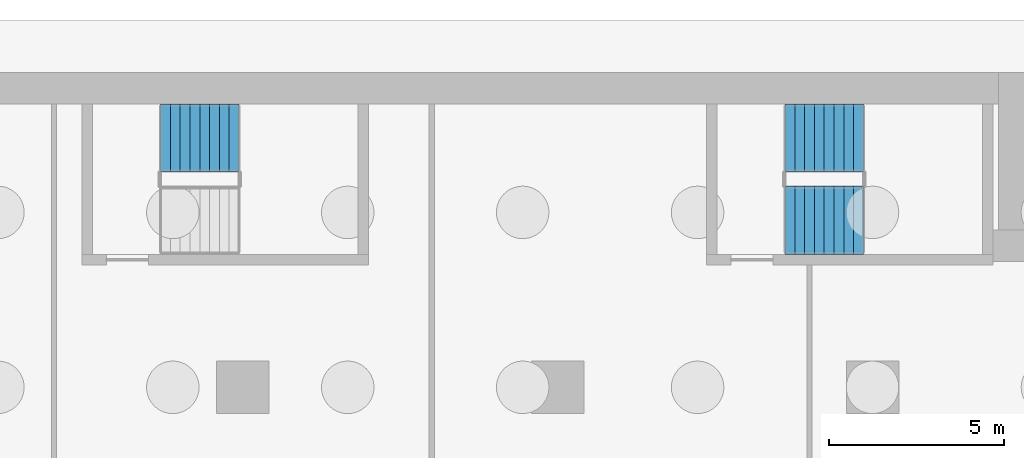
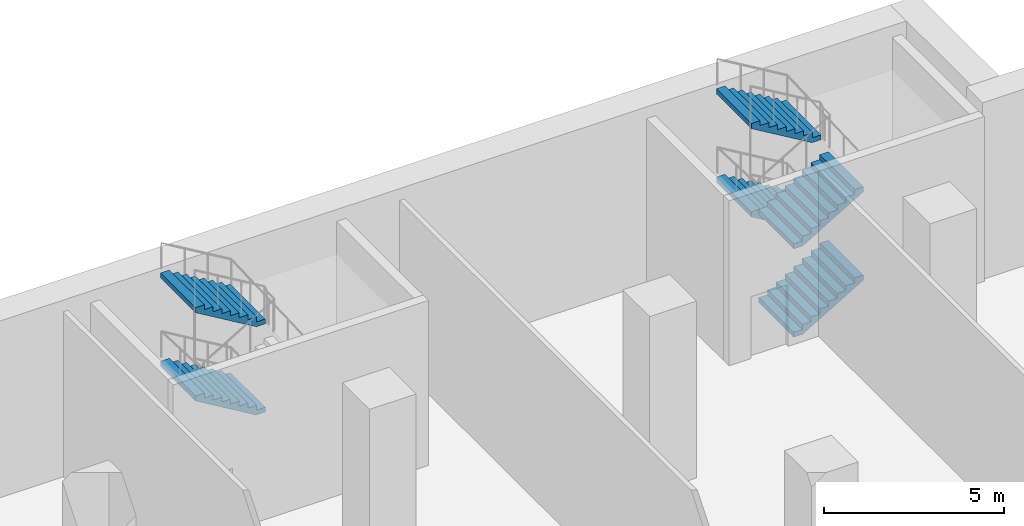
# One storey, part 16 of 25: 6 stair flights, 2 elements without a shape of their own.
"""IFC4 building model written with IfcOpenShell, lengths in metres."""

from ifc_helpers import new_model, si_unit, direction, frame, origin, place, context, subcontext, project, spatial, polyline, outline, extrude, material, type_object, element, aggregate, save


model = new_model("IFC4")

# Units and contexts
model_context = context("Model", 3, precision=1e-05, world=origin(), true_north=direction((0.0, 1.0)))
body_context = subcontext(model_context, "Body", "Model", "MODEL_VIEW")
ifc_project = project(units=[si_unit("LENGTHUNIT", "METRE"), si_unit("AREAUNIT", "SQUARE_METRE"), si_unit("VOLUMEUNIT", "CUBIC_METRE"), si_unit("PLANEANGLEUNIT", "RADIAN"), si_unit("MASSUNIT", "GRAM", prefix="KILO")], contexts=[model_context])

# Site, building, storey
site_placement = place(None, origin())
site = spatial("IfcSite", under=ifc_project, at=site_placement, CompositionType="ELEMENT")
building_placement = place(site_placement, origin())
building = spatial("IfcBuilding", under=site, at=building_placement, Name="Hunhe Ridgeline Campus", CompositionType="ELEMENT")
storey_placement = place(building_placement, frame((0.0, 0.0, -6.0)))
storey = spatial("IfcBuildingStorey", under=building, at=storey_placement, Name="B1", CompositionType="ELEMENT", Elevation=-6.0)

# Stair, stair flights
ifc_material = material(Name="Concrete C40", Category="concrete")
stair_type = type_object("IfcStairType", Name="Reinforced concrete dog-leg stair 1950 Concrete C40", PredefinedType="HALF_TURN_STAIR", material=ifc_material)
stair_1_placement = place(storey_placement, origin())
stair_1 = element("IfcStair", 1, at=stair_1_placement, inside=storey, type_object=stair_type, Name="B1 E3", PredefinedType="HALF_TURN_STAIR")
stair_flight_type = type_object("IfcStairFlightType", Name="Reinforced concrete stair flight 1950 Concrete C40", PredefinedType="STRAIGHT", material=ifc_material)
stair_flight_1_placement = place(storey_placement, frame((71.889892578125, 97.125, 1.5), z_axis=(0.0, 0.0, 1.0), x_axis=(-1.0, 0.0, 0.0)))
stair_flight_1 = element("IfcStairFlight", 2, at=stair_flight_1_placement, type_object=stair_flight_type, Name="ST7 flight 2", NumberOfRisers=9, NumberOfTreads=8, PredefinedType="STRAIGHT", RiserHeight=0.166666667, TreadLength=0.28, context=body_context, shape_type="SweptSolid", body=[
    extrude(outline(polyline([(0.0, 0.0), (0.0, 0.166748046875), (0.280029296875, 0.166748046875), (0.280029296875, 0.333251953125), (0.56005859375, 0.333251953125), (0.56005859375, 0.5), (0.840087890625, 0.5), (0.840087890625, 0.666748046875), (1.1201171875, 0.666748046875), (1.1201171875, 0.833251953125), (1.39990234375, 0.833251953125), (1.39990234375, 1.0), (1.679931640625, 1.0), (1.679931640625, 1.166748046875), (1.9599609375, 1.166748046875), (1.9599609375, 1.333251953125), (2.239990234375, 1.333251953125), (2.239990234375, 1.5), (2.239990234375, 1.158935546875), (0.29296875, 0.0), (0.0, 0.0)])), frame((0.0, 0.97509765625, 0.0), z_axis=(0.0, -1.0, 0.0), x_axis=(1.0, 0.0, 0.0)), (0.0, 0.0, 1.0), 1.949951171875),
    extrude(outline(polyline([(0.030029296875, 0.030029296875), (0.030029296875, 0.13671875), (0.31005859375, 0.13671875), (0.31005859375, 0.30322265625), (0.590087890625, 0.30322265625), (0.590087890625, 0.469970703125), (0.8701171875, 0.469970703125), (0.8701171875, 0.63671875), (1.14990234375, 0.63671875), (1.14990234375, 0.80322265625), (1.429931640625, 0.80322265625), (1.429931640625, 0.969970703125), (1.7099609375, 0.969970703125), (1.7099609375, 1.13671875), (1.989990234375, 1.13671875), (1.989990234375, 1.30322265625), (2.2099609375, 1.30322265625), (2.2099609375, 1.17578125), (0.284912109375, 0.030029296875), (0.030029296875, 0.030029296875)])), frame((0.0, -0.070068359375, 0.0), z_axis=(0.0, -1.0, 0.0), x_axis=(1.0, 0.0, 0.0)), (0.0, 0.0, 1.0), 0.019775390625),
    extrude(outline(polyline([(0.030029296875, 0.030029296875), (0.030029296875, 0.13671875), (0.31005859375, 0.13671875), (0.31005859375, 0.30322265625), (0.590087890625, 0.30322265625), (0.590087890625, 0.469970703125), (0.8701171875, 0.469970703125), (0.8701171875, 0.63671875), (1.14990234375, 0.63671875), (1.14990234375, 0.80322265625), (1.429931640625, 0.80322265625), (1.429931640625, 0.969970703125), (1.7099609375, 0.969970703125), (1.7099609375, 1.13671875), (1.989990234375, 1.13671875), (1.989990234375, 1.30322265625), (2.2099609375, 1.30322265625), (2.2099609375, 1.17578125), (0.284912109375, 0.030029296875), (0.030029296875, 0.030029296875)])), frame((0.0, 0.010009765625, 0.0), z_axis=(0.0, -1.0, 0.0), x_axis=(1.0, 0.0, 0.0)), (0.0, 0.0, 1.0), 0.019775390625),
    extrude(outline(polyline([(0.030029296875, 0.030029296875), (0.030029296875, 0.13671875), (0.31005859375, 0.13671875), (0.31005859375, 0.30322265625), (0.590087890625, 0.30322265625), (0.590087890625, 0.469970703125), (0.8701171875, 0.469970703125), (0.8701171875, 0.63671875), (1.14990234375, 0.63671875), (1.14990234375, 0.80322265625), (1.429931640625, 0.80322265625), (1.429931640625, 0.969970703125), (1.7099609375, 0.969970703125), (1.7099609375, 1.13671875), (1.989990234375, 1.13671875), (1.989990234375, 1.30322265625), (2.2099609375, 1.30322265625), (2.2099609375, 1.17578125), (0.284912109375, 0.030029296875), (0.030029296875, 0.030029296875)])), frame((0.0, 0.090087890625, 0.0), z_axis=(0.0, -1.0, 0.0), x_axis=(1.0, 0.0, 0.0)), (0.0, 0.0, 1.0), 0.019775390625),
])
stair_flight_2_placement = place(storey_placement, frame((71.889892578125, 97.125, 4.5), z_axis=(0.0, 0.0, 1.0), x_axis=(-1.0, 0.0, 0.0)))
stair_flight_2 = element("IfcStairFlight", 3, at=stair_flight_2_placement, type_object=stair_flight_type, Name="ST7 flight 4", NumberOfRisers=9, NumberOfTreads=8, PredefinedType="STRAIGHT", RiserHeight=0.166666667, TreadLength=0.28, context=body_context, shape_type="SweptSolid", body=[
    extrude(outline(polyline([(0.0, 0.0), (0.0, 0.166748046875), (0.280029296875, 0.166748046875), (0.280029296875, 0.333251953125), (0.56005859375, 0.333251953125), (0.56005859375, 0.5), (0.840087890625, 0.5), (0.840087890625, 0.666748046875), (1.1201171875, 0.666748046875), (1.1201171875, 0.833251953125), (1.39990234375, 0.833251953125), (1.39990234375, 1.0), (1.679931640625, 1.0), (1.679931640625, 1.166748046875), (1.9599609375, 1.166748046875), (1.9599609375, 1.333251953125), (2.239990234375, 1.333251953125), (2.239990234375, 1.5), (2.239990234375, 1.158935546875), (0.29296875, 0.0), (0.0, 0.0)])), frame((0.0, 0.97509765625, 0.0), z_axis=(0.0, -1.0, 0.0), x_axis=(1.0, 0.0, 0.0)), (0.0, 0.0, 1.0), 1.949951171875),
    extrude(outline(polyline([(0.030029296875, 0.030029296875), (0.030029296875, 0.13671875), (0.31005859375, 0.13671875), (0.31005859375, 0.30322265625), (0.590087890625, 0.30322265625), (0.590087890625, 0.469970703125), (0.8701171875, 0.469970703125), (0.8701171875, 0.63671875), (1.14990234375, 0.63671875), (1.14990234375, 0.80322265625), (1.429931640625, 0.80322265625), (1.429931640625, 0.969970703125), (1.7099609375, 0.969970703125), (1.7099609375, 1.13671875), (1.989990234375, 1.13671875), (1.989990234375, 1.30322265625), (2.2099609375, 1.30322265625), (2.2099609375, 1.17578125), (0.284912109375, 0.030029296875), (0.030029296875, 0.030029296875)])), frame((0.0, -0.070068359375, 0.0), z_axis=(0.0, -1.0, 0.0), x_axis=(1.0, 0.0, 0.0)), (0.0, 0.0, 1.0), 0.019775390625),
    extrude(outline(polyline([(0.030029296875, 0.030029296875), (0.030029296875, 0.13671875), (0.31005859375, 0.13671875), (0.31005859375, 0.30322265625), (0.590087890625, 0.30322265625), (0.590087890625, 0.469970703125), (0.8701171875, 0.469970703125), (0.8701171875, 0.63671875), (1.14990234375, 0.63671875), (1.14990234375, 0.80322265625), (1.429931640625, 0.80322265625), (1.429931640625, 0.969970703125), (1.7099609375, 0.969970703125), (1.7099609375, 1.13671875), (1.989990234375, 1.13671875), (1.989990234375, 1.30322265625), (2.2099609375, 1.30322265625), (2.2099609375, 1.17578125), (0.284912109375, 0.030029296875), (0.030029296875, 0.030029296875)])), frame((0.0, 0.010009765625, 0.0), z_axis=(0.0, -1.0, 0.0), x_axis=(1.0, 0.0, 0.0)), (0.0, 0.0, 1.0), 0.019775390625),
    extrude(outline(polyline([(0.030029296875, 0.030029296875), (0.030029296875, 0.13671875), (0.31005859375, 0.13671875), (0.31005859375, 0.30322265625), (0.590087890625, 0.30322265625), (0.590087890625, 0.469970703125), (0.8701171875, 0.469970703125), (0.8701171875, 0.63671875), (1.14990234375, 0.63671875), (1.14990234375, 0.80322265625), (1.429931640625, 0.80322265625), (1.429931640625, 0.969970703125), (1.7099609375, 0.969970703125), (1.7099609375, 1.13671875), (1.989990234375, 1.13671875), (1.989990234375, 1.30322265625), (2.2099609375, 1.30322265625), (2.2099609375, 1.17578125), (0.284912109375, 0.030029296875), (0.030029296875, 0.030029296875)])), frame((0.0, 0.090087890625, 0.0), z_axis=(0.0, -1.0, 0.0), x_axis=(1.0, 0.0, 0.0)), (0.0, 0.0, 1.0), 0.019775390625),
])
aggregate(stair_1, [stair_flight_1, stair_flight_2])

stair_2_placement = place(storey_placement, origin())
stair_2 = element("IfcStair", 4, at=stair_2_placement, inside=storey, type_object=stair_type, Name="B1 E4", PredefinedType="HALF_TURN_STAIR")
stair_flight_3_placement = place(storey_placement, frame((87.5, 94.77490234375, 0.0), z_axis=(0.0, 0.0, 1.0), x_axis=(1.0, 0.0, 0.0)))
stair_flight_3 = element("IfcStairFlight", 5, at=stair_flight_3_placement, type_object=stair_flight_type, Name="ST8 flight 1", NumberOfRisers=9, NumberOfTreads=8, PredefinedType="STRAIGHT", RiserHeight=0.166666667, TreadLength=0.28, context=body_context, shape_type="SweptSolid", body=[
    extrude(outline(polyline([(0.0, 0.0), (0.0, 0.166748046875), (0.280029296875, 0.166748046875), (0.280029296875, 0.333251953125), (0.56005859375, 0.333251953125), (0.56005859375, 0.5), (0.840087890625, 0.5), (0.840087890625, 0.666748046875), (1.1201171875, 0.666748046875), (1.1201171875, 0.833251953125), (1.39990234375, 0.833251953125), (1.39990234375, 1.0), (1.679931640625, 1.0), (1.679931640625, 1.166748046875), (1.9599609375, 1.166748046875), (1.9599609375, 1.333251953125), (2.239990234375, 1.333251953125), (2.239990234375, 1.5), (2.239990234375, 1.158935546875), (0.29296875, 0.0), (0.0, 0.0)])), frame((0.0, 0.97509765625, 0.0), z_axis=(0.0, -1.0, 0.0), x_axis=(1.0, 0.0, 0.0)), (0.0, 0.0, 1.0), 1.949951171875),
    extrude(outline(polyline([(0.030029296875, 0.030029296875), (0.030029296875, 0.13671875), (0.31005859375, 0.13671875), (0.31005859375, 0.30322265625), (0.590087890625, 0.30322265625), (0.590087890625, 0.469970703125), (0.8701171875, 0.469970703125), (0.8701171875, 0.63671875), (1.14990234375, 0.63671875), (1.14990234375, 0.80322265625), (1.429931640625, 0.80322265625), (1.429931640625, 0.969970703125), (1.7099609375, 0.969970703125), (1.7099609375, 1.13671875), (1.989990234375, 1.13671875), (1.989990234375, 1.30322265625), (2.2099609375, 1.30322265625), (2.2099609375, 1.17578125), (0.284912109375, 0.030029296875), (0.030029296875, 0.030029296875)])), frame((0.0, -0.070068359375, 0.0), z_axis=(0.0, -1.0, 0.0), x_axis=(1.0, 0.0, 0.0)), (0.0, 0.0, 1.0), 0.019775390625),
    extrude(outline(polyline([(0.030029296875, 0.030029296875), (0.030029296875, 0.13671875), (0.31005859375, 0.13671875), (0.31005859375, 0.30322265625), (0.590087890625, 0.30322265625), (0.590087890625, 0.469970703125), (0.8701171875, 0.469970703125), (0.8701171875, 0.63671875), (1.14990234375, 0.63671875), (1.14990234375, 0.80322265625), (1.429931640625, 0.80322265625), (1.429931640625, 0.969970703125), (1.7099609375, 0.969970703125), (1.7099609375, 1.13671875), (1.989990234375, 1.13671875), (1.989990234375, 1.30322265625), (2.2099609375, 1.30322265625), (2.2099609375, 1.17578125), (0.284912109375, 0.030029296875), (0.030029296875, 0.030029296875)])), frame((0.0, 0.010009765625, 0.0), z_axis=(0.0, -1.0, 0.0), x_axis=(1.0, 0.0, 0.0)), (0.0, 0.0, 1.0), 0.019775390625),
    extrude(outline(polyline([(0.030029296875, 0.030029296875), (0.030029296875, 0.13671875), (0.31005859375, 0.13671875), (0.31005859375, 0.30322265625), (0.590087890625, 0.30322265625), (0.590087890625, 0.469970703125), (0.8701171875, 0.469970703125), (0.8701171875, 0.63671875), (1.14990234375, 0.63671875), (1.14990234375, 0.80322265625), (1.429931640625, 0.80322265625), (1.429931640625, 0.969970703125), (1.7099609375, 0.969970703125), (1.7099609375, 1.13671875), (1.989990234375, 1.13671875), (1.989990234375, 1.30322265625), (2.2099609375, 1.30322265625), (2.2099609375, 1.17578125), (0.284912109375, 0.030029296875), (0.030029296875, 0.030029296875)])), frame((0.0, 0.090087890625, 0.0), z_axis=(0.0, -1.0, 0.0), x_axis=(1.0, 0.0, 0.0)), (0.0, 0.0, 1.0), 0.019775390625),
])
stair_flight_4_placement = place(storey_placement, frame((89.739990234375, 97.125, 1.5), z_axis=(0.0, 0.0, 1.0), x_axis=(-1.0, 0.0, 0.0)))
stair_flight_4 = element("IfcStairFlight", 6, at=stair_flight_4_placement, type_object=stair_flight_type, Name="ST8 flight 2", NumberOfRisers=9, NumberOfTreads=8, PredefinedType="STRAIGHT", RiserHeight=0.166666667, TreadLength=0.28, context=body_context, shape_type="SweptSolid", body=[
    extrude(outline(polyline([(0.0, 0.0), (0.0, 0.166748046875), (0.280029296875, 0.166748046875), (0.280029296875, 0.333251953125), (0.56005859375, 0.333251953125), (0.56005859375, 0.5), (0.840087890625, 0.5), (0.840087890625, 0.666748046875), (1.1201171875, 0.666748046875), (1.1201171875, 0.833251953125), (1.39990234375, 0.833251953125), (1.39990234375, 1.0), (1.679931640625, 1.0), (1.679931640625, 1.166748046875), (1.9599609375, 1.166748046875), (1.9599609375, 1.333251953125), (2.239990234375, 1.333251953125), (2.239990234375, 1.5), (2.239990234375, 1.158935546875), (0.29296875, 0.0), (0.0, 0.0)])), frame((0.0, 0.97509765625, 0.0), z_axis=(0.0, -1.0, 0.0), x_axis=(1.0, 0.0, 0.0)), (0.0, 0.0, 1.0), 1.949951171875),
    extrude(outline(polyline([(0.030029296875, 0.030029296875), (0.030029296875, 0.13671875), (0.31005859375, 0.13671875), (0.31005859375, 0.30322265625), (0.590087890625, 0.30322265625), (0.590087890625, 0.469970703125), (0.8701171875, 0.469970703125), (0.8701171875, 0.63671875), (1.14990234375, 0.63671875), (1.14990234375, 0.80322265625), (1.429931640625, 0.80322265625), (1.429931640625, 0.969970703125), (1.7099609375, 0.969970703125), (1.7099609375, 1.13671875), (1.989990234375, 1.13671875), (1.989990234375, 1.30322265625), (2.2099609375, 1.30322265625), (2.2099609375, 1.17578125), (0.284912109375, 0.030029296875), (0.030029296875, 0.030029296875)])), frame((0.0, -0.070068359375, 0.0), z_axis=(0.0, -1.0, 0.0), x_axis=(1.0, 0.0, 0.0)), (0.0, 0.0, 1.0), 0.019775390625),
    extrude(outline(polyline([(0.030029296875, 0.030029296875), (0.030029296875, 0.13671875), (0.31005859375, 0.13671875), (0.31005859375, 0.30322265625), (0.590087890625, 0.30322265625), (0.590087890625, 0.469970703125), (0.8701171875, 0.469970703125), (0.8701171875, 0.63671875), (1.14990234375, 0.63671875), (1.14990234375, 0.80322265625), (1.429931640625, 0.80322265625), (1.429931640625, 0.969970703125), (1.7099609375, 0.969970703125), (1.7099609375, 1.13671875), (1.989990234375, 1.13671875), (1.989990234375, 1.30322265625), (2.2099609375, 1.30322265625), (2.2099609375, 1.17578125), (0.284912109375, 0.030029296875), (0.030029296875, 0.030029296875)])), frame((0.0, 0.010009765625, 0.0), z_axis=(0.0, -1.0, 0.0), x_axis=(1.0, 0.0, 0.0)), (0.0, 0.0, 1.0), 0.019775390625),
    extrude(outline(polyline([(0.030029296875, 0.030029296875), (0.030029296875, 0.13671875), (0.31005859375, 0.13671875), (0.31005859375, 0.30322265625), (0.590087890625, 0.30322265625), (0.590087890625, 0.469970703125), (0.8701171875, 0.469970703125), (0.8701171875, 0.63671875), (1.14990234375, 0.63671875), (1.14990234375, 0.80322265625), (1.429931640625, 0.80322265625), (1.429931640625, 0.969970703125), (1.7099609375, 0.969970703125), (1.7099609375, 1.13671875), (1.989990234375, 1.13671875), (1.989990234375, 1.30322265625), (2.2099609375, 1.30322265625), (2.2099609375, 1.17578125), (0.284912109375, 0.030029296875), (0.030029296875, 0.030029296875)])), frame((0.0, 0.090087890625, 0.0), z_axis=(0.0, -1.0, 0.0), x_axis=(1.0, 0.0, 0.0)), (0.0, 0.0, 1.0), 0.019775390625),
])
stair_flight_5_placement = place(storey_placement, frame((87.5, 94.77490234375, 3.0), z_axis=(0.0, 0.0, 1.0), x_axis=(1.0, 0.0, 0.0)))
stair_flight_5 = element("IfcStairFlight", 7, at=stair_flight_5_placement, type_object=stair_flight_type, Name="ST8 flight 3", NumberOfRisers=9, NumberOfTreads=8, PredefinedType="STRAIGHT", RiserHeight=0.166666667, TreadLength=0.28, context=body_context, shape_type="SweptSolid", body=[
    extrude(outline(polyline([(0.0, 0.0), (0.0, 0.166748046875), (0.280029296875, 0.166748046875), (0.280029296875, 0.333251953125), (0.56005859375, 0.333251953125), (0.56005859375, 0.5), (0.840087890625, 0.5), (0.840087890625, 0.666748046875), (1.1201171875, 0.666748046875), (1.1201171875, 0.833251953125), (1.39990234375, 0.833251953125), (1.39990234375, 1.0), (1.679931640625, 1.0), (1.679931640625, 1.166748046875), (1.9599609375, 1.166748046875), (1.9599609375, 1.333251953125), (2.239990234375, 1.333251953125), (2.239990234375, 1.5), (2.239990234375, 1.158935546875), (0.29296875, 0.0), (0.0, 0.0)])), frame((0.0, 0.97509765625, 0.0), z_axis=(0.0, -1.0, 0.0), x_axis=(1.0, 0.0, 0.0)), (0.0, 0.0, 1.0), 1.949951171875),
    extrude(outline(polyline([(0.030029296875, 0.030029296875), (0.030029296875, 0.13671875), (0.31005859375, 0.13671875), (0.31005859375, 0.30322265625), (0.590087890625, 0.30322265625), (0.590087890625, 0.469970703125), (0.8701171875, 0.469970703125), (0.8701171875, 0.63671875), (1.14990234375, 0.63671875), (1.14990234375, 0.80322265625), (1.429931640625, 0.80322265625), (1.429931640625, 0.969970703125), (1.7099609375, 0.969970703125), (1.7099609375, 1.13671875), (1.989990234375, 1.13671875), (1.989990234375, 1.30322265625), (2.2099609375, 1.30322265625), (2.2099609375, 1.17578125), (0.284912109375, 0.030029296875), (0.030029296875, 0.030029296875)])), frame((0.0, -0.070068359375, 0.0), z_axis=(0.0, -1.0, 0.0), x_axis=(1.0, 0.0, 0.0)), (0.0, 0.0, 1.0), 0.019775390625),
    extrude(outline(polyline([(0.030029296875, 0.030029296875), (0.030029296875, 0.13671875), (0.31005859375, 0.13671875), (0.31005859375, 0.30322265625), (0.590087890625, 0.30322265625), (0.590087890625, 0.469970703125), (0.8701171875, 0.469970703125), (0.8701171875, 0.63671875), (1.14990234375, 0.63671875), (1.14990234375, 0.80322265625), (1.429931640625, 0.80322265625), (1.429931640625, 0.969970703125), (1.7099609375, 0.969970703125), (1.7099609375, 1.13671875), (1.989990234375, 1.13671875), (1.989990234375, 1.30322265625), (2.2099609375, 1.30322265625), (2.2099609375, 1.17578125), (0.284912109375, 0.030029296875), (0.030029296875, 0.030029296875)])), frame((0.0, 0.010009765625, 0.0), z_axis=(0.0, -1.0, 0.0), x_axis=(1.0, 0.0, 0.0)), (0.0, 0.0, 1.0), 0.019775390625),
    extrude(outline(polyline([(0.030029296875, 0.030029296875), (0.030029296875, 0.13671875), (0.31005859375, 0.13671875), (0.31005859375, 0.30322265625), (0.590087890625, 0.30322265625), (0.590087890625, 0.469970703125), (0.8701171875, 0.469970703125), (0.8701171875, 0.63671875), (1.14990234375, 0.63671875), (1.14990234375, 0.80322265625), (1.429931640625, 0.80322265625), (1.429931640625, 0.969970703125), (1.7099609375, 0.969970703125), (1.7099609375, 1.13671875), (1.989990234375, 1.13671875), (1.989990234375, 1.30322265625), (2.2099609375, 1.30322265625), (2.2099609375, 1.17578125), (0.284912109375, 0.030029296875), (0.030029296875, 0.030029296875)])), frame((0.0, 0.090087890625, 0.0), z_axis=(0.0, -1.0, 0.0), x_axis=(1.0, 0.0, 0.0)), (0.0, 0.0, 1.0), 0.019775390625),
])
stair_flight_6_placement = place(storey_placement, frame((89.739990234375, 97.125, 4.5), z_axis=(0.0, 0.0, 1.0), x_axis=(-1.0, 0.0, 0.0)))
stair_flight_6 = element("IfcStairFlight", 8, at=stair_flight_6_placement, type_object=stair_flight_type, Name="ST8 flight 4", NumberOfRisers=9, NumberOfTreads=8, PredefinedType="STRAIGHT", RiserHeight=0.166666667, TreadLength=0.28, context=body_context, shape_type="SweptSolid", body=[
    extrude(outline(polyline([(0.0, 0.0), (0.0, 0.166748046875), (0.280029296875, 0.166748046875), (0.280029296875, 0.333251953125), (0.56005859375, 0.333251953125), (0.56005859375, 0.5), (0.840087890625, 0.5), (0.840087890625, 0.666748046875), (1.1201171875, 0.666748046875), (1.1201171875, 0.833251953125), (1.39990234375, 0.833251953125), (1.39990234375, 1.0), (1.679931640625, 1.0), (1.679931640625, 1.166748046875), (1.9599609375, 1.166748046875), (1.9599609375, 1.333251953125), (2.239990234375, 1.333251953125), (2.239990234375, 1.5), (2.239990234375, 1.158935546875), (0.29296875, 0.0), (0.0, 0.0)])), frame((0.0, 0.97509765625, 0.0), z_axis=(0.0, -1.0, 0.0), x_axis=(1.0, 0.0, 0.0)), (0.0, 0.0, 1.0), 1.949951171875),
    extrude(outline(polyline([(0.030029296875, 0.030029296875), (0.030029296875, 0.13671875), (0.31005859375, 0.13671875), (0.31005859375, 0.30322265625), (0.590087890625, 0.30322265625), (0.590087890625, 0.469970703125), (0.8701171875, 0.469970703125), (0.8701171875, 0.63671875), (1.14990234375, 0.63671875), (1.14990234375, 0.80322265625), (1.429931640625, 0.80322265625), (1.429931640625, 0.969970703125), (1.7099609375, 0.969970703125), (1.7099609375, 1.13671875), (1.989990234375, 1.13671875), (1.989990234375, 1.30322265625), (2.2099609375, 1.30322265625), (2.2099609375, 1.17578125), (0.284912109375, 0.030029296875), (0.030029296875, 0.030029296875)])), frame((0.0, -0.070068359375, 0.0), z_axis=(0.0, -1.0, 0.0), x_axis=(1.0, 0.0, 0.0)), (0.0, 0.0, 1.0), 0.019775390625),
    extrude(outline(polyline([(0.030029296875, 0.030029296875), (0.030029296875, 0.13671875), (0.31005859375, 0.13671875), (0.31005859375, 0.30322265625), (0.590087890625, 0.30322265625), (0.590087890625, 0.469970703125), (0.8701171875, 0.469970703125), (0.8701171875, 0.63671875), (1.14990234375, 0.63671875), (1.14990234375, 0.80322265625), (1.429931640625, 0.80322265625), (1.429931640625, 0.969970703125), (1.7099609375, 0.969970703125), (1.7099609375, 1.13671875), (1.989990234375, 1.13671875), (1.989990234375, 1.30322265625), (2.2099609375, 1.30322265625), (2.2099609375, 1.17578125), (0.284912109375, 0.030029296875), (0.030029296875, 0.030029296875)])), frame((0.0, 0.010009765625, 0.0), z_axis=(0.0, -1.0, 0.0), x_axis=(1.0, 0.0, 0.0)), (0.0, 0.0, 1.0), 0.019775390625),
    extrude(outline(polyline([(0.030029296875, 0.030029296875), (0.030029296875, 0.13671875), (0.31005859375, 0.13671875), (0.31005859375, 0.30322265625), (0.590087890625, 0.30322265625), (0.590087890625, 0.469970703125), (0.8701171875, 0.469970703125), (0.8701171875, 0.63671875), (1.14990234375, 0.63671875), (1.14990234375, 0.80322265625), (1.429931640625, 0.80322265625), (1.429931640625, 0.969970703125), (1.7099609375, 0.969970703125), (1.7099609375, 1.13671875), (1.989990234375, 1.13671875), (1.989990234375, 1.30322265625), (2.2099609375, 1.30322265625), (2.2099609375, 1.17578125), (0.284912109375, 0.030029296875), (0.030029296875, 0.030029296875)])), frame((0.0, 0.090087890625, 0.0), z_axis=(0.0, -1.0, 0.0), x_axis=(1.0, 0.0, 0.0)), (0.0, 0.0, 1.0), 0.019775390625),
])
aggregate(stair_2, [stair_flight_3, stair_flight_4, stair_flight_5, stair_flight_6])

save(model, "model.ifc")
